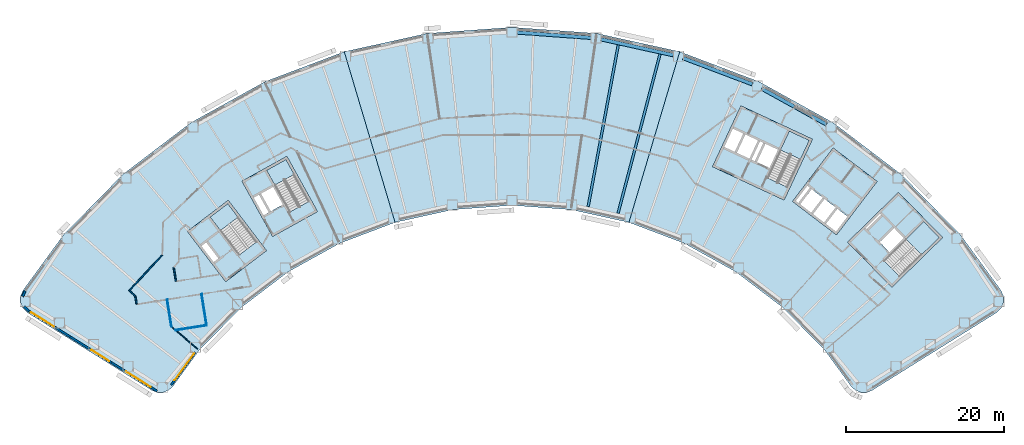
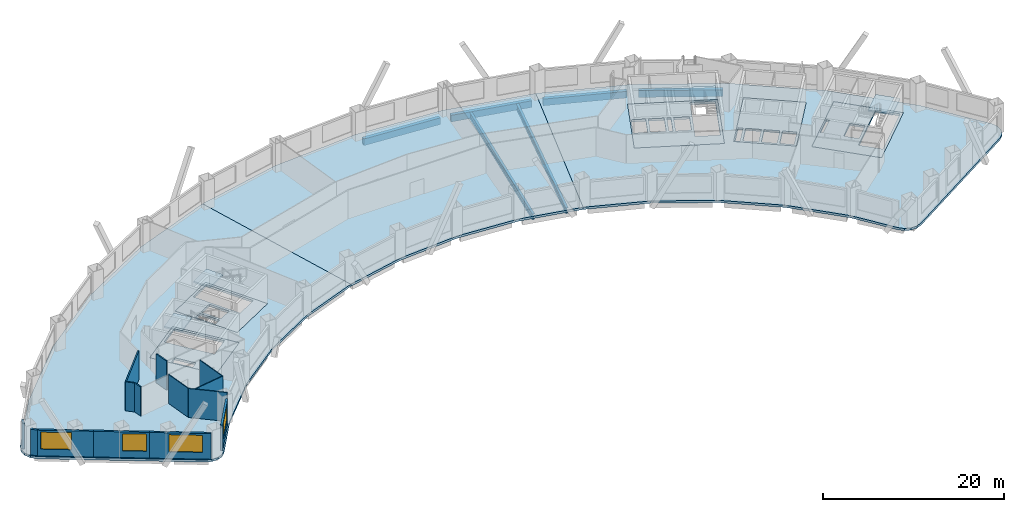
# One storey, part 2 of 11: 14 walls, 12 slabs, 6 beams, 4 windows, 4 openings, 4 elements without a shape of their own.
"""IFC4 building model written with IfcOpenShell, lengths in metres."""

from ifc_helpers import new_model, si_unit, direction, frame, frame_2d, origin, origin_2d, place, context, subcontext, project, spatial, polyline, rectangle, hollow_rectangle, i_section, outline, extrude, material, layer, layer_set, material_profile, profile_set, type_object, element, fill, aggregate, save


model = new_model("IFC4")

# Units and contexts
model_context = context("Model", 3, precision=1e-05, world=origin(), true_north=direction((0.0, 1.0)))
body_context = subcontext(model_context, "Body", "Model", "MODEL_VIEW")
ifc_project = project(units=[si_unit("LENGTHUNIT", "METRE"), si_unit("AREAUNIT", "SQUARE_METRE"), si_unit("VOLUMEUNIT", "CUBIC_METRE"), si_unit("PLANEANGLEUNIT", "RADIAN"), si_unit("MASSUNIT", "GRAM", prefix="KILO")], contexts=[model_context])

# Site, building, storey
site_placement = place(None, origin())
site = spatial("IfcSite", under=ifc_project, at=site_placement, CompositionType="ELEMENT")
building_placement = place(site_placement, origin())
building = spatial("IfcBuilding", under=site, at=building_placement, Name="Tuul Gate Civic Tower", CompositionType="ELEMENT")
storey_placement = place(building_placement, frame((0.0, 0.0, 39.89990234375)))
storey = spatial("IfcBuildingStorey", under=building, at=storey_placement, Name="Level 08", CompositionType="ELEMENT", Elevation=39.89990234375)

# Beams
ifc_material_1 = material(Name="Steel S355", Category="steel")
ifc_material_profile_1 = material_profile(ifc_material_1, i_section(OverallWidth=0.300048828125, OverallDepth=0.800048828125, WebThickness=0.013916015625, FlangeThickness=0.02490234375, at=origin_2d()), Name="PG800x300x14x25")
ifc_profile_set_1 = profile_set([ifc_material_profile_1], Name="Steel S355")
beam_type_1 = type_object("IfcBeamType", Name="STR-FLOOR BEAM-PG800x300x14x25", PredefinedType="BEAM", material=ifc_profile_set_1)
beam_1_placement = place(storey_placement, frame((13.438720703125, -9.04296875, -0.699951171875), z_axis=(0.255004720301, 0.96693980817, 0.0), x_axis=(-0.96693980817, 0.255004720301, 0.0)))
element("IfcBeam", 1, at=beam_1_placement, inside=storey, type_object=beam_type_1, Name="Floor beam", PredefinedType="BEAM", context=body_context, shape_type="SweptSolid", body=[
    extrude(i_section(OverallWidth=0.300048828125, OverallDepth=0.800048828125, WebThickness=0.013916015625, FlangeThickness=0.02490234375, at=origin_2d()), origin(), (0.0, 0.0, 1.0), 20.817626953125),
])
beam_2_placement = place(storey_placement, frame((9.6484375, -8.207763671875, -0.699951171875), z_axis=(0.183147342328, 0.98308547492, 0.0), x_axis=(-0.98308547492, 0.183147342328, 0.0)))
element("IfcBeam", 2, at=beam_2_placement, inside=storey, type_object=beam_type_1, Name="Floor beam", PredefinedType="BEAM", context=body_context, shape_type="SweptSolid", body=[
    extrude(i_section(OverallWidth=0.300048828125, OverallDepth=0.800048828125, WebThickness=0.013916015625, FlangeThickness=0.02490234375, at=origin_2d()), origin(), (0.0, 0.0, 1.0), 20.811279296875),
])
ifc_material_2 = material(Name="Steel S355", Category="steel")
ifc_material_profile_2 = material_profile(ifc_material_2, hollow_rectangle(XDim=0.449951171875, YDim=0.89990234375, WallThickness=0.02490234375, at=origin_2d()), Name="BOX900x450x25")
ifc_profile_set_2 = profile_set([ifc_material_profile_2], Name="Steel S355")
beam_type_2 = type_object("IfcBeamType", Name="STR-SPANDREL BEAM-BOX900x450x25", PredefinedType="BEAM", material=ifc_profile_set_2)
beam_3_placement = place(storey_placement, frame((39.83349609375, 2.191162109375, -0.75), z_axis=(-0.874628488078, 0.484793778676, 0.0), x_axis=(-0.484793778676, -0.874628488078, 0.0)))
element("IfcBeam", 3, at=beam_3_placement, inside=storey, type_object=beam_type_2, Name="Spandrel beam", PredefinedType="BEAM", context=body_context, shape_type="SweptSolid", body=[
    extrude(hollow_rectangle(XDim=0.449951171875, YDim=0.89990234375, WallThickness=0.02490234375, at=origin_2d()), origin(), (0.0, 0.0, 1.0), 9.37646484375),
])
beam_4_placement = place(storey_placement, frame((30.4560546875, 7.281982421875, -0.75), z_axis=(-0.935343306637, 0.353741287849, 0.0), x_axis=(-0.353741287849, -0.935343306637, 0.0)))
element("IfcBeam", 4, at=beam_4_placement, inside=storey, type_object=beam_type_2, Name="Spandrel beam", PredefinedType="BEAM", context=body_context, shape_type="SweptSolid", body=[
    extrude(hollow_rectangle(XDim=0.449951171875, YDim=0.89990234375, WallThickness=0.02490234375, at=origin_2d()), origin(), (0.0, 0.0, 1.0), 9.377197265625),
])
beam_5_placement = place(storey_placement, frame((20.442138671875, 10.968994140625, -0.75), z_axis=(-0.976572630495, 0.215188051174, 0.0), x_axis=(-0.215188051174, -0.976572630495, 0.0)))
element("IfcBeam", 5, at=beam_5_placement, inside=storey, type_object=beam_type_2, Name="Spandrel beam", PredefinedType="BEAM", context=body_context, shape_type="SweptSolid", body=[
    extrude(hollow_rectangle(XDim=0.449951171875, YDim=0.89990234375, WallThickness=0.02490234375, at=origin_2d()), origin(), (0.0, 0.0, 1.0), 9.378173828125),
])
beam_6_placement = place(storey_placement, frame((10.000732421875, 13.173828125, -0.75), z_axis=(-0.997388439542, 0.072223961869, 0.0), x_axis=(-0.072223961869, -0.997388439542, 0.0)))
element("IfcBeam", 6, at=beam_6_placement, inside=storey, type_object=beam_type_2, Name="Spandrel beam", PredefinedType="BEAM", context=body_context, shape_type="SweptSolid", body=[
    extrude(hollow_rectangle(XDim=0.449951171875, YDim=0.89990234375, WallThickness=0.02490234375, at=origin_2d()), origin(), (0.0, 0.0, 1.0), 9.376953125),
])

# Slabs
ifc_material_3 = material(Name="Concrete C40/50", Category="concrete")
ifc_layer_1 = layer(ifc_material_3, 0.300048828125)
ifc_layer_set_1 = layer_set([ifc_layer_1], Name="Concrete C40/50")
slab_type_1 = type_object("IfcSlabType", Name="Core floor slab 300", PredefinedType="FLOOR", material=ifc_layer_set_1)
slab_1_placement = place(storey_placement, frame((0.0, 0.0, -0.2998046875)))
element("IfcSlab", 7, at=slab_1_placement, inside=storey, type_object=slab_type_1, Name="FLOOR SLAB", PredefinedType="FLOOR", context=body_context, shape_type="SweptSolid", body=[
    extrude(outline(polyline([(-31.10009765625, -13.7890625), (-35.946044921875, -7.423828125), (-41.11767578125, -11.361572265625), (-36.271484375, -17.726806640625), (-31.10009765625, -13.7890625)]), holes=[polyline([(-37.19287109375, -14.783203125), (-38.737548828125, -12.75439453125), (-39.45361328125, -13.299560546875), (-37.908935546875, -15.328369140625), (-37.19287109375, -14.783203125)]), polyline([(-32.33935546875, -12.65771484375), (-34.56591796875, -14.352783203125), (-38.229736328125, -9.54052734375), (-36.003173828125, -7.845458984375), (-32.33935546875, -12.65771484375)])]), origin(), (0.0, 0.0, 1.0), 0.2998046875),
])
slab_2_placement = place(storey_placement, frame((0.0, 0.0, -0.2998046875)))
element("IfcSlab", 8, at=slab_2_placement, inside=storey, type_object=slab_type_1, Name="FLOOR SLAB", PredefinedType="FLOOR", context=body_context, shape_type="SweptSolid", body=[
    extrude(outline(polyline([(-24.638916015625, -8.846923828125), (-28.51708984375, -1.849853515625), (-34.2021484375, -5.0009765625), (-30.32421875, -11.998046875), (-24.638916015625, -8.846923828125)]), holes=[polyline([(-29.0185546875, -7.958740234375), (-30.254638671875, -5.728515625), (-31.785400390625, -6.576904296875), (-30.54931640625, -8.80712890625), (-29.0185546875, -7.958740234375)]), polyline([(-30.8115234375, -8.95263671875), (-32.047607421875, -6.72216796875), (-32.8349609375, -7.158447265625), (-31.5986328125, -9.388916015625), (-30.8115234375, -8.95263671875)]), polyline([(-25.702392578125, -7.548828125), (-28.14990234375, -8.905517578125), (-31.08203125, -3.615234375), (-28.63427734375, -2.2587890625), (-25.702392578125, -7.548828125)])]), origin(), (0.0, 0.0, 1.0), 0.2998046875),
])
slab_3_placement = place(storey_placement, frame((0.0, 0.0, -0.2998046875)))
element("IfcSlab", 9, at=slab_3_placement, inside=storey, type_object=slab_type_1, Name="FLOOR SLAB", PredefinedType="FLOOR", context=body_context, shape_type="SweptSolid", body=[
    extrude(outline(polyline([(48.117919921875, -18.43310546875), (54.545166015625, -12.1328125), (48.945068359375, -6.419921875), (42.517822265625, -12.719970703125), (48.117919921875, -18.43310546875)]), holes=[polyline([(47.808837890625, -13.974853515625), (49.6298828125, -12.18994140625), (48.40478515625, -10.940185546875), (46.583984375, -12.72509765625), (47.808837890625, -13.974853515625)]), polyline([(44.93896484375, -11.046875), (46.760009765625, -9.261962890625), (46.514892578125, -9.011962890625), (44.69384765625, -10.797119140625), (44.93896484375, -11.046875)]), polyline([(49.086181640625, -17.062744140625), (47.12744140625, -15.064208984375), (52.160888671875, -10.130126953125), (54.11962890625, -12.128662109375), (49.086181640625, -17.062744140625)])]), origin(), (0.0, 0.0, 1.0), 0.2998046875),
])
slab_4_placement = place(storey_placement, frame((0.0, 0.0, -0.2998046875)))
element("IfcSlab", 10, at=slab_4_placement, inside=storey, type_object=slab_type_1, Name="FLOOR SLAB", PredefinedType="FLOOR", context=body_context, shape_type="SweptSolid", body=[
    extrude(outline(polyline([(34.465087890625, -7.385986328125), (38.056884765625, 0.31787109375), (28.993896484375, 4.543701171875), (25.40185546875, -3.159912109375), (34.465087890625, -7.385986328125)]), holes=[polyline([(32.60888671875, -3.32080078125), (33.6865234375, -1.009765625), (32.1005859375, -0.27001953125), (31.02294921875, -2.581298828125), (32.60888671875, -3.32080078125)]), polyline([(30.0712890625, -2.137451171875), (31.14892578125, 0.173583984375), (29.562744140625, 0.9130859375), (28.4853515625, -1.39794921875), (30.0712890625, -2.137451171875)]), polyline([(30.751220703125, -2.454345703125), (31.82861328125, -0.143310546875), (31.4208984375, 0.046875), (30.34326171875, -2.264404296875), (30.751220703125, -2.454345703125)]), polyline([(28.21337890625, -1.27099609375), (29.291015625, 1.0400390625), (27.8408203125, 1.71630859375), (26.76318359375, -0.594970703125), (28.21337890625, -1.27099609375)]), polyline([(34.889892578125, -5.7626953125), (32.353759765625, -4.580078125), (35.120849609375, 1.354736328125), (37.6572265625, 0.17236328125), (34.889892578125, -5.7626953125)])]), origin(), (0.0, 0.0, 1.0), 0.2998046875),
])
ifc_material_4 = material(Name="Concrete C40/50", Category="concrete")
ifc_layer_2 = layer(ifc_material_4, 0.300048828125)
ifc_layer_set_2 = layer_set([ifc_layer_2], Name="Concrete C40/50")
slab_type_2 = type_object("IfcSlabType", Name="Core floor slab 300 non-bearing", PredefinedType="FLOOR", material=ifc_layer_set_2)
slab_5_placement = place(storey_placement, frame((0.0, 0.0, -0.2998046875)))
element("IfcSlab", 11, at=slab_5_placement, inside=storey, type_object=slab_type_2, Name="FLOOR SLAB", PredefinedType="FLOOR", context=body_context, shape_type="SweptSolid", body=[
    extrude(outline(polyline([(41.10107421875, -11.797119140625), (46.25, -5.033935546875), (40.680908203125, -0.79296875), (35.531982421875, -7.555908203125), (41.10107421875, -11.797119140625)]), holes=[polyline([(41.044189453125, -11.37646484375), (42.497802734375, -9.467041015625), (41.22509765625, -8.49755859375), (39.77099609375, -10.4072265625), (41.044189453125, -11.37646484375)]), polyline([(39.532470703125, -10.225341796875), (40.986328125, -8.31591796875), (39.593994140625, -7.255615234375), (38.14013671875, -9.165283203125), (39.532470703125, -10.225341796875)]), polyline([(37.901611328125, -8.9833984375), (39.35546875, -7.073974609375), (37.963134765625, -6.013671875), (36.50927734375, -7.923095703125), (37.901611328125, -8.9833984375)]), polyline([(36.1796875, -7.860595703125), (37.724609375, -5.831787109375), (37.286865234375, -5.49853515625), (35.7421875, -7.527587890625), (36.1796875, -7.860595703125)])]), origin(), (0.0, 0.0, 1.0), 0.2998046875),
])

# Stair, slab
ifc_material_5 = material(Name="Concrete C40/50", Category="concrete")
stair_type = type_object("IfcStairType", Name="Exit stair", PredefinedType="HALF_TURN_STAIR", material=ifc_material_5)
stair_1_placement = place(storey_placement, origin())
stair_1 = element("IfcStair", 12, at=stair_1_placement, inside=storey, type_object=stair_type, Name="Level 08 ST-1", PredefinedType="HALF_TURN_STAIR")
ifc_material_6 = material(Name="Concrete C40/50", Category="concrete")
ifc_layer_3 = layer(ifc_material_6, 0.199951171875)
ifc_layer_set_3 = layer_set([ifc_layer_3], Name="Concrete C40/50")
slab_type_3 = type_object("IfcSlabType", Name="Exit stair landing", PredefinedType="LANDING", material=ifc_layer_set_3)
slab_6_placement = place(storey_placement, frame((0.0, 0.0, 1.900146484375)))
slab_6 = element("IfcSlab", 13, at=slab_6_placement, type_object=slab_type_3, Name="ST-1 landing 1", PredefinedType="LANDING", context=body_context, shape_type="SweptSolid", body=[
    extrude(outline(polyline([(-34.699462890625, -9.554931640625), (-36.9287109375, -11.252197265625), (-38.23193359375, -9.540283203125), (-36.0029296875, -7.843017578125), (-34.699462890625, -9.554931640625)])), origin(), (0.0, 0.0, 1.0), 0.199951171875),
])
aggregate(stair_1, [slab_6])

stair_2_placement = place(storey_placement, origin())
stair_2 = element("IfcStair", 14, at=stair_2_placement, inside=storey, type_object=stair_type, Name="Level 08 ST-2", PredefinedType="HALF_TURN_STAIR")
slab_7_placement = place(storey_placement, frame((0.0, 0.0, 1.900146484375)))
slab_7 = element("IfcSlab", 15, at=slab_7_placement, type_object=slab_type_3, Name="ST-2 landing 1", PredefinedType="LANDING", context=body_context, shape_type="SweptSolid", body=[
    extrude(outline(polyline([(-27.5908203125, -4.138427734375), (-30.041015625, -5.49658203125), (-31.084228515625, -3.61474609375), (-28.6337890625, -2.256591796875), (-27.5908203125, -4.138427734375)])), origin(), (0.0, 0.0, 1.0), 0.199951171875),
])
aggregate(stair_2, [slab_7])

stair_3_placement = place(storey_placement, origin())
stair_3 = element("IfcStair", 16, at=stair_3_placement, inside=storey, type_object=stair_type, Name="Level 08 ST-3", PredefinedType="HALF_TURN_STAIR")
slab_8_placement = place(storey_placement, frame((0.0, 0.0, 1.900146484375)))
slab_8 = element("IfcSlab", 17, at=slab_8_placement, type_object=slab_type_3, Name="ST-3 landing 1", PredefinedType="LANDING", context=body_context, shape_type="SweptSolid", body=[
    extrude(outline(polyline([(51.871337890625, -14.3349609375), (49.91015625, -12.334228515625), (52.160888671875, -10.1279296875), (54.1220703125, -12.128662109375), (51.871337890625, -14.3349609375)])), origin(), (0.0, 0.0, 1.0), 0.199951171875),
])
aggregate(stair_3, [slab_8])

stair_4_placement = place(storey_placement, origin())
stair_4 = element("IfcStair", 18, at=stair_4_placement, inside=storey, type_object=stair_type, Name="Level 08 ST-4", PredefinedType="HALF_TURN_STAIR")
slab_9_placement = place(storey_placement, frame((0.0, 0.0, 1.900146484375)))
slab_9 = element("IfcSlab", 19, at=slab_9_placement, type_object=slab_type_3, Name="ST-4 landing 1", PredefinedType="LANDING", context=body_context, shape_type="SweptSolid", body=[
    extrude(outline(polyline([(36.538818359375, -2.230224609375), (33.999755859375, -1.046142578125), (35.1201171875, 1.35693359375), (37.659423828125, 0.173095703125), (36.538818359375, -2.230224609375)])), origin(), (0.0, 0.0, 1.0), 0.199951171875),
])
aggregate(stair_4, [slab_9])

# Slabs
ifc_material_7 = material(Name="Concrete C35/45", Category="concrete")
ifc_layer_4 = layer(ifc_material_7, 0.300048828125)
ifc_layer_set_4 = layer_set([ifc_layer_4], Name="Concrete C35/45")
slab_type_4 = type_object("IfcSlabType", Name="STR-FLOOR-SLAB-300", PredefinedType="FLOOR", material=ifc_layer_set_4)
slab_10_placement = place(storey_placement, frame((0.0, 0.0, -0.2998046875)))
element("IfcSlab", 20, at=slab_10_placement, inside=storey, type_object=slab_type_4, Name="Level 08/slab/W", PredefinedType="FLOOR", context=body_context, shape_type="SweptSolid", body=[
    extrude(outline(polyline([(-21.833984375, -12.87109375), (-14.81396484375, -10.216064453125), (-21.248046875, 11.406005859375), (-31.31689453125, 7.597900390625), (-40.73095703125, 2.3798828125), (-49.2958984375, -4.14111328125), (-56.8310546875, -11.827880859375), (-61.910888671875, -18.784912109375), (-62.248046875, -19.528076171875), (-62.260009765625, -20.343017578125), (-61.945068359375, -21.095947265625), (-61.35595703125, -21.659912109375), (-45.6259765625, -31.489990234375), (-44.931884765625, -31.760009765625), (-44.18701171875, -31.757080078125), (-43.4951171875, -31.48193359375), (-42.950927734375, -30.972900390625), (-39.6220703125, -26.4150390625), (-34.368896484375, -21.055908203125), (-28.39794921875, -16.509033203125), (-21.833984375, -12.87109375)]), holes=[polyline([(-31.10009765625, -13.7890625), (-36.27197265625, -17.72705078125), (-41.117919921875, -11.362060546875), (-35.946044921875, -7.424072265625), (-31.10009765625, -13.7890625)]), polyline([(-24.638916015625, -8.846923828125), (-30.323974609375, -11.998046875), (-34.201904296875, -5.0009765625), (-28.51708984375, -1.85009765625), (-24.638916015625, -8.846923828125)])]), origin(), (0.0, 0.0, 1.0), 0.2998046875),
])
slab_11_placement = place(storey_placement, frame((0.0, 0.0, -0.2998046875)))
element("IfcSlab", 21, at=slab_11_placement, inside=storey, type_object=slab_type_4, Name="Level 08/slab/M", PredefinedType="FLOOR", context=body_context, shape_type="SweptSolid", body=[
    extrude(outline(polyline([(14.81396484375, -10.216064453125), (21.248046875, 11.406005859375), (10.736083984375, 13.721923828125), (0.0, 14.5), (-10.736083984375, 13.721923828125), (-21.248046875, 11.406005859375), (-14.81396484375, -10.216064453125), (-7.485107421875, -8.60107421875), (0.0, -8.05908203125), (7.485107421875, -8.60107421875), (14.81396484375, -10.216064453125)])), origin(), (0.0, 0.0, 1.0), 0.2998046875),
])
slab_12_placement = place(storey_placement, frame((0.0, 0.0, -0.2998046875)))
element("IfcSlab", 22, at=slab_12_placement, inside=storey, type_object=slab_type_4, Name="Level 08/slab/E", PredefinedType="FLOOR", context=body_context, shape_type="SweptSolid", body=[
    extrude(outline(polyline([(44.931884765625, -31.760009765625), (45.6259765625, -31.489990234375), (61.35595703125, -21.659912109375), (61.945068359375, -21.095947265625), (62.260009765625, -20.343017578125), (62.248046875, -19.528076171875), (61.910888671875, -18.784912109375), (56.8310546875, -11.827880859375), (49.2958984375, -4.14111328125), (40.73095703125, 2.3798828125), (31.31689453125, 7.597900390625), (21.248046875, 11.406005859375), (14.81396484375, -10.216064453125), (21.833984375, -12.87109375), (28.39794921875, -16.509033203125), (34.368896484375, -21.055908203125), (39.6220703125, -26.4150390625), (42.950927734375, -30.972900390625), (43.4951171875, -31.48193359375), (44.18701171875, -31.757080078125), (44.931884765625, -31.760009765625)]), holes=[polyline([(48.117919921875, -18.43310546875), (42.51806640625, -12.719970703125), (48.945068359375, -6.419921875), (54.544921875, -12.133056640625), (48.117919921875, -18.43310546875)]), polyline([(35.531982421875, -7.555908203125), (40.680908203125, -0.79296875), (46.25, -5.033935546875), (41.10107421875, -11.797119140625), (35.531982421875, -7.555908203125)]), polyline([(25.402099609375, -3.159912109375), (28.993896484375, 4.5439453125), (38.056884765625, 0.318115234375), (34.465087890625, -7.385986328125), (25.402099609375, -3.159912109375)])]), origin(), (0.0, 0.0, 1.0), 0.2998046875),
])

# Walls
ifc_material_8 = material(Name="Gypsum board partition")
ifc_layer_5 = layer(ifc_material_8, 0.14990234375)
ifc_layer_set_5 = layer_set([ifc_layer_5], Name="Gypsum board partition")
wall_type_1 = type_object("IfcWallType", Name="Corridor wall P150", PredefinedType="PARTITIONING", material=ifc_layer_set_5)
wall_1_placement = place(storey_placement, frame((-47.708984375, -19.56640625, 0.0), z_axis=(0.0, 0.0, 1.0), x_axis=(0.156191042766, -0.987726864148, 0.0)))
element("IfcWall", 23, at=wall_1_placement, inside=storey, type_object=wall_type_1, Name="p034", PredefinedType="PARTITIONING", context=body_context, shape_type="SweptSolid", body=[
    extrude(rectangle(XDim=1.04248046875, YDim=0.14990234375, at=frame_2d((0.521240234375, 0.0))), origin(), (0.0, 0.0, 1.0), 3.900146484375),
])
wall_2_placement = place(storey_placement, frame((-48.478515625, -18.843505859375, 0.0), z_axis=(0.0, 0.0, 1.0), x_axis=(0.681511791808, 0.73180713144, 0.0)))
element("IfcWall", 24, at=wall_2_placement, inside=storey, type_object=wall_type_1, Name="p039", PredefinedType="PARTITIONING", context=body_context, shape_type="SweptSolid", body=[
    extrude(rectangle(XDim=6.140380859375, YDim=0.14990234375, at=frame_2d((3.0703125, 0.0))), origin(), (0.0, 0.0, 1.0), 3.900146484375),
])
wall_3_placement = place(storey_placement, frame((-48.478515625, -18.843505859375, 0.0), z_axis=(0.0, 0.0, 1.0), x_axis=(0.731716771698, -0.681608807173, 0.0)))
element("IfcWall", 25, at=wall_3_placement, inside=storey, type_object=wall_type_1, Name="p040", PredefinedType="PARTITIONING", context=body_context, shape_type="SweptSolid", body=[
    extrude(rectangle(XDim=1.042724609375, YDim=0.14990234375, at=frame_2d((0.521484375, 0.0))), origin(), (0.0, 0.0, 1.0), 3.900146484375),
])
wall_4_placement = place(storey_placement, frame((-42.852783203125, -15.885009765625, 0.0), z_axis=(0.0, 0.0, 1.0), x_axis=(0.156300148027, -0.987709604958, 0.0)))
element("IfcWall", 26, at=wall_4_placement, inside=storey, type_object=wall_type_1, Name="p055", PredefinedType="PARTITIONING", context=body_context, shape_type="SweptSolid", body=[
    extrude(rectangle(XDim=1.81982421875, YDim=0.14990234375, at=frame_2d((0.909912109375, 0.0))), origin(), (0.0, 0.0, 1.0), 3.900146484375),
])
ifc_material_9 = material(Name="Precast concrete C40/50", Category="concrete")
ifc_layer_6 = layer(ifc_material_9, 0.25)
ifc_layer_set_6 = layer_set([ifc_layer_6], Name="Precast concrete C40/50")
wall_type_2 = type_object("IfcWallType", Name="External wall", PredefinedType="STANDARD", material=ifc_layer_set_6)
wall_5_placement = place(storey_placement, frame((-61.67626953125, -18.924560546875, 0.0), z_axis=(0.0, 0.0, 1.0), x_axis=(-0.412831515496, -0.910807410934, 0.0)))
element("IfcWall", 27, at=wall_5_placement, inside=storey, type_object=wall_type_2, Name="External wall", PredefinedType="STANDARD", context=body_context, shape_type="SweptSolid", body=[
    extrude(rectangle(XDim=0.7197265625, YDim=0.25, at=frame_2d((0.35986328125, 0.0))), origin(), (0.0, 0.0, 1.0), 3.4501953125),
])
wall_6_placement = place(storey_placement, frame((-61.778076171875, -20.8798828125, 0.0), z_axis=(0.0, 0.0, 1.0), x_axis=(0.722244224905, -0.691638113172, 0.0)))
element("IfcWall", 28, at=wall_6_placement, inside=storey, type_object=wall_type_2, Name="External wall", PredefinedType="STANDARD", context=body_context, shape_type="SweptSolid", body=[
    extrude(rectangle(XDim=0.813720703125, YDim=0.25, at=frame_2d((0.40673828125, 0.0))), origin(), (0.0, 0.0, 1.0), 3.4501953125),
])

# Wall, opening, window
wall_7_placement = place(storey_placement, frame((-61.210693359375, -21.427001953125, 0.0), z_axis=(0.0, 0.0, 1.0), x_axis=(0.848042669488, -0.529927948619, 0.0)))
wall_7 = element("IfcWall", 29, at=wall_7_placement, inside=storey, type_object=wall_type_2, Name="External wall", PredefinedType="STANDARD", context=body_context, shape_type="SweptSolid", body=[
    extrude(rectangle(XDim=6.1826171875, YDim=0.25, at=frame_2d((3.09130859375, 0.0))), origin(), (0.0, 0.0, 1.0), 3.4501953125),
])
opening_1_placement = place(wall_7_placement, frame((0.340087890625, 0.0, 0.89990234375)))
opening_1 = element("IfcOpeningElement", 30, at=opening_1_placement, cuts=wall_7, Name="Opening W32", PredefinedType="OPENING", context=body_context, shape_type="SweptSolid", body=[
    extrude(rectangle(XDim=3.39990234375, YDim=2.300048828125, at=frame_2d((1.699951171875, 1.14990234375))), frame((0.0, 0.135009765625, 0.0), z_axis=(0.0, -1.0, 0.0), x_axis=(1.0, 0.0, 0.0)), (0.0, 0.0, 1.0), 0.27001953125),
])
ifc_material_10 = material(Name="Glass", Category="glass")
window_type_1 = type_object("IfcWindowType", Name="Window 3400 x 2300", PartitioningType="SINGLE_PANEL", PredefinedType="WINDOW", material=ifc_material_10)
window_1_placement = place(opening_1_placement, origin())
window_1 = element("IfcWindow", 31, at=window_1_placement, inside=storey, type_object=window_type_1, Name="Window", OverallHeight=2.300048828125, OverallWidth=3.39990234375, PartitioningType="SINGLE_PANEL", PredefinedType="WINDOW", context=body_context, shape_type="SweptSolid", body=[
    extrude(rectangle(XDim=3.39990234375, YDim=2.300048828125, at=frame_2d((1.699951171875, 1.14990234375))), frame((0.0, 0.030029296875, 0.0), z_axis=(0.0, -1.0, 0.0), x_axis=(1.0, 0.0, 0.0)), (0.0, 0.0, 1.0), 0.06005859375),
])
fill(opening_1, window_1)

wall_8_placement = place(storey_placement, frame((-55.967529296875, -24.703369140625, 0.0), z_axis=(0.0, 0.0, 1.0), x_axis=(0.848053758074, -0.529910203164, 0.0)))
wall_8 = element("IfcWall", 32, at=wall_8_placement, inside=storey, type_object=wall_type_2, Name="External wall", PredefinedType="STANDARD", context=body_context, shape_type="SweptSolid", body=[
    extrude(rectangle(XDim=6.182861328125, YDim=0.25, at=frame_2d((3.09130859375, 0.0))), origin(), (0.0, 0.0, 1.0), 3.4501953125),
])
opening_2_placement = place(wall_8_placement, frame((3.199951171875, 0.0, 0.89990234375)))
opening_2 = element("IfcOpeningElement", 33, at=opening_2_placement, cuts=wall_8, Name="Opening W37", PredefinedType="OPENING", context=body_context, shape_type="SweptSolid", body=[
    extrude(rectangle(XDim=2.64990234375, YDim=2.300048828125, at=frame_2d((1.324951171875, 1.14990234375))), frame((0.0, 0.135009765625, 0.0), z_axis=(0.0, -1.0, 0.0), x_axis=(1.0, 0.0, 0.0)), (0.0, 0.0, 1.0), 0.27001953125),
])
ifc_material_11 = material(Name="Glass", Category="glass")
window_type_2 = type_object("IfcWindowType", Name="Window 2650 x 2300", PartitioningType="SINGLE_PANEL", PredefinedType="WINDOW", material=ifc_material_11)
window_2_placement = place(opening_2_placement, origin())
window_2 = element("IfcWindow", 34, at=window_2_placement, inside=storey, type_object=window_type_2, Name="Window", OverallHeight=2.300048828125, OverallWidth=2.64990234375, PartitioningType="SINGLE_PANEL", PredefinedType="WINDOW", context=body_context, shape_type="SweptSolid", body=[
    extrude(rectangle(XDim=2.64990234375, YDim=2.300048828125, at=frame_2d((1.324951171875, 1.14990234375))), frame((0.0, 0.030029296875, 0.0), z_axis=(0.0, -1.0, 0.0), x_axis=(1.0, 0.0, 0.0)), (0.0, 0.0, 1.0), 0.06005859375),
])
fill(opening_2, window_2)

wall_9_placement = place(storey_placement, frame((-50.72412109375, -27.979736328125, 0.0), z_axis=(0.0, 0.0, 1.0), x_axis=(0.848068815002, -0.529886105707, 0.0)))
wall_9 = element("IfcWall", 35, at=wall_9_placement, inside=storey, type_object=wall_type_2, Name="External wall", PredefinedType="STANDARD", context=body_context, shape_type="SweptSolid", body=[
    extrude(rectangle(XDim=6.807373046875, YDim=0.25, at=frame_2d((3.40380859375, 0.0))), origin(), (0.0, 0.0, 1.0), 3.4501953125),
])
opening_3_placement = place(wall_9_placement, frame((2.1640625, 0.0, 0.89990234375)))
opening_3 = element("IfcOpeningElement", 36, at=opening_3_placement, cuts=wall_9, Name="Opening W21", PredefinedType="OPENING", context=body_context, shape_type="SweptSolid", body=[
    extrude(rectangle(XDim=3.699951171875, YDim=2.300048828125, at=frame_2d((1.85009765625, 1.14990234375))), frame((0.0, 0.135009765625, 0.0), z_axis=(0.0, -1.0, 0.0), x_axis=(1.0, 0.0, 0.0)), (0.0, 0.0, 1.0), 0.27001953125),
])
ifc_material_12 = material(Name="Glass", Category="glass")
window_type_3 = type_object("IfcWindowType", Name="Window W21 3700 x 2300", PartitioningType="SINGLE_PANEL", PredefinedType="WINDOW", material=ifc_material_12)
window_3_placement = place(opening_3_placement, origin())
window_3 = element("IfcWindow", 37, at=window_3_placement, inside=storey, type_object=window_type_3, Name="Window", OverallHeight=2.300048828125, OverallWidth=3.699951171875, PartitioningType="SINGLE_PANEL", PredefinedType="WINDOW", context=body_context, shape_type="SweptSolid", body=[
    extrude(rectangle(XDim=3.699951171875, YDim=2.300048828125, at=frame_2d((1.85009765625, 1.14990234375))), frame((0.0, 0.030029296875, 0.0), z_axis=(0.0, -1.0, 0.0), x_axis=(1.0, 0.0, 0.0)), (0.0, 0.0, 1.0), 0.06005859375),
])
fill(opening_3, window_3)

wall_10_placement = place(storey_placement, frame((-43.1728515625, -30.811279296875, 0.0), z_axis=(0.0, 0.0, 1.0), x_axis=(0.589712900291, 0.807612961282, 0.0)))
wall_10 = element("IfcWall", 38, at=wall_10_placement, inside=storey, type_object=wall_type_2, Name="External wall", PredefinedType="STANDARD", context=body_context, shape_type="SweptSolid", body=[
    extrude(rectangle(XDim=5.120361328125, YDim=0.25, at=frame_2d((2.56005859375, 0.0))), origin(), (0.0, 0.0, 1.0), 3.4501953125),
])
opening_4_placement = place(wall_10_placement, frame((0.75244140625, 0.0, 0.89990234375)))
opening_4 = element("IfcOpeningElement", 39, at=opening_4_placement, cuts=wall_10, Name="Opening W25", PredefinedType="OPENING", context=body_context, shape_type="SweptSolid", body=[
    extrude(rectangle(XDim=4.14990234375, YDim=2.300048828125, at=frame_2d((2.074951171875, 1.14990234375))), frame((0.0, 0.135009765625, 0.0), z_axis=(0.0, -1.0, 0.0), x_axis=(1.0, 0.0, 0.0)), (0.0, 0.0, 1.0), 0.27001953125),
])
ifc_material_13 = material(Name="Glass", Category="glass")
window_type_4 = type_object("IfcWindowType", Name="Window W25 4150 x 2300", PartitioningType="SINGLE_PANEL", PredefinedType="WINDOW", material=ifc_material_13)
window_4_placement = place(opening_4_placement, origin())
window_4 = element("IfcWindow", 40, at=window_4_placement, inside=storey, type_object=window_type_4, Name="Window", OverallHeight=2.300048828125, OverallWidth=4.14990234375, PartitioningType="SINGLE_PANEL", PredefinedType="WINDOW", context=body_context, shape_type="SweptSolid", body=[
    extrude(rectangle(XDim=4.14990234375, YDim=2.300048828125, at=frame_2d((2.074951171875, 1.14990234375))), frame((0.0, 0.030029296875, 0.0), z_axis=(0.0, -1.0, 0.0), x_axis=(1.0, 0.0, 0.0)), (0.0, 0.0, 1.0), 0.06005859375),
])
fill(opening_4, window_4)

# Walls
ifc_material_14 = material(Name="Gypsum board partition")
ifc_layer_7 = layer(ifc_material_14, 0.10009765625)
ifc_layer_set_7 = layer_set([ifc_layer_7], Name="Gypsum board partition")
wall_type_3 = type_object("IfcWallType", Name="Partition P100", PredefinedType="PARTITIONING", material=ifc_layer_set_7)
wall_11_placement = place(storey_placement, frame((-43.68017578125, -19.984619140625, 0.0), z_axis=(0.0, 0.0, 1.0), x_axis=(0.156378411508, -0.987697216972, 0.0)))
element("IfcWall", 41, at=wall_11_placement, inside=storey, type_object=wall_type_3, Name="p032", PredefinedType="PARTITIONING", context=body_context, shape_type="SweptSolid", body=[
    extrude(rectangle(XDim=3.4970703125, YDim=0.10009765625, at=frame_2d((1.74853515625, 0.0))), origin(), (0.0, 0.0, 1.0), 3.900146484375),
])
wall_12_placement = place(storey_placement, frame((-43.13330078125, -23.438720703125, 0.0), z_axis=(0.0, 0.0, 1.0), x_axis=(0.762817389991, -0.646613972574, 0.0)))
element("IfcWall", 42, at=wall_12_placement, inside=storey, type_object=wall_type_3, Name="p033", PredefinedType="PARTITIONING", context=body_context, shape_type="SweptSolid", body=[
    extrude(rectangle(XDim=4.332275390625, YDim=0.10009765625, at=frame_2d((2.166015625, 0.0))), origin(), (0.0, 0.0, 1.0), 3.900146484375),
])
wall_13_placement = place(storey_placement, frame((-39.3134765625, -19.293212890625, 0.0), z_axis=(0.0, 0.0, 1.0), x_axis=(0.15634711078, -0.987702172191, 0.0)))
element("IfcWall", 43, at=wall_13_placement, inside=storey, type_object=wall_type_3, Name="p053", PredefinedType="PARTITIONING", context=body_context, shape_type="SweptSolid", body=[
    extrude(rectangle(XDim=4.010009765625, YDim=0.10009765625, at=frame_2d((2.0048828125, 0.0))), origin(), (0.0, 0.0, 1.0), 3.900146484375),
])
wall_14_placement = place(storey_placement, frame((-42.6171875, -23.876220703125, 0.0), z_axis=(0.0, 0.0, 1.0), x_axis=(0.98769771793, 0.156375247391, 0.0)))
element("IfcWall", 44, at=wall_14_placement, inside=storey, type_object=wall_type_3, Name="p054", PredefinedType="PARTITIONING", context=body_context, shape_type="SweptSolid", body=[
    extrude(rectangle(XDim=3.979736328125, YDim=0.10009765625, at=frame_2d((1.98974609375, 0.0))), origin(), (0.0, 0.0, 1.0), 3.900146484375),
])

save(model, "model.ifc")
